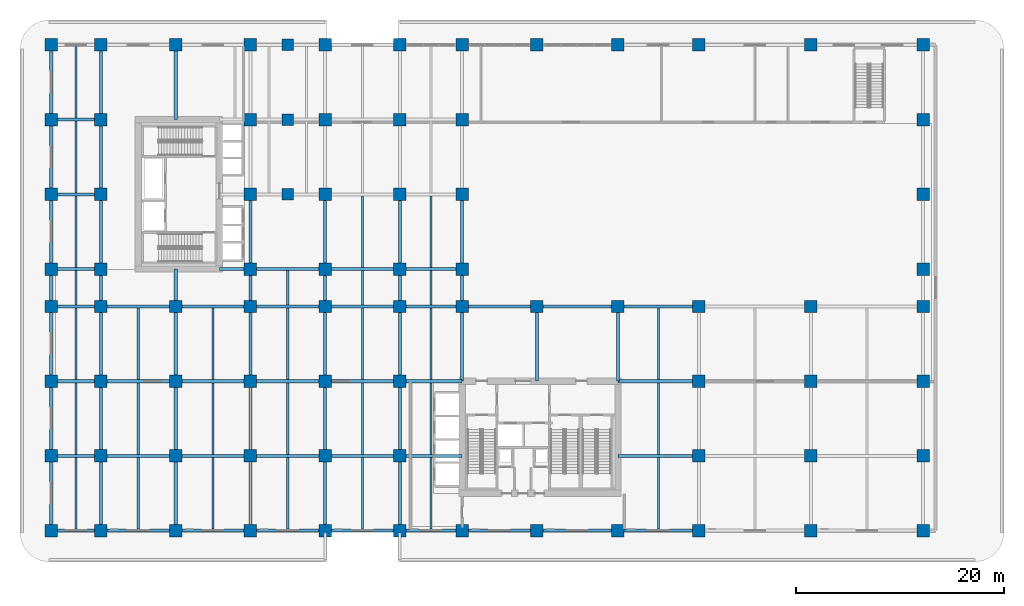
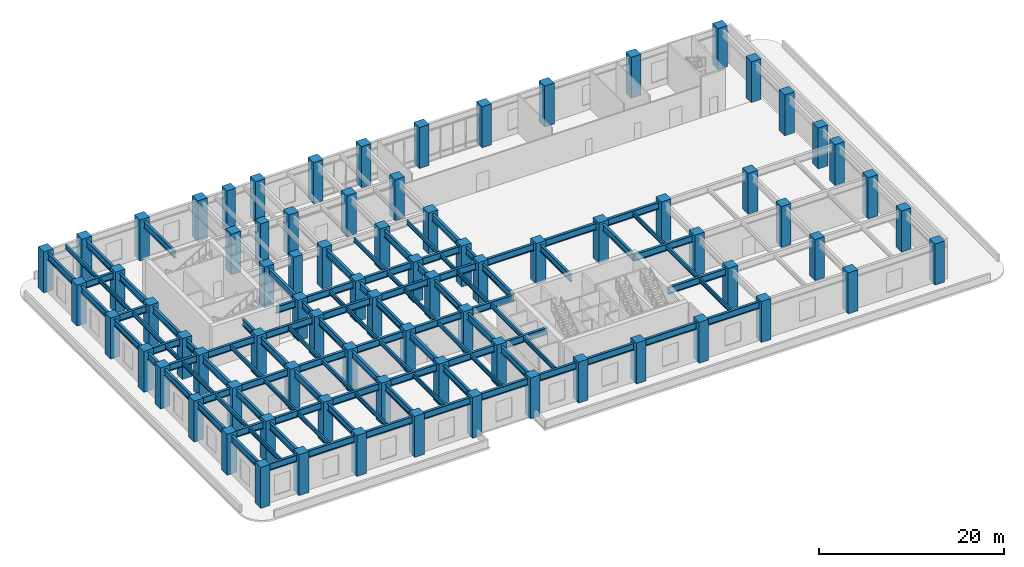
# One storey, part 1 of 20: 108 beams, 78 columns.
"""IFC4 building model written with IfcOpenShell, lengths in metres."""

from ifc_helpers import new_model, si_unit, derived_unit, direction, frame, origin, origin_2d, place, context, subcontext, project, spatial, rectangle, i_section, extrude, source, transform, mapped, material, material_profile, profile_set, type_object, type_shapes, element, save


model = new_model("IFC4")

# Units and contexts
model_context = context("Model", 3, precision=1e-05, world=origin(), true_north=direction((0.0, 1.0)))
body_context = subcontext(model_context, "Body", "Model", "MODEL_VIEW")
ifc_project = project(units=[si_unit("LENGTHUNIT", "METRE"), si_unit("AREAUNIT", "SQUARE_METRE"), si_unit("VOLUMEUNIT", "CUBIC_METRE"), si_unit("PLANEANGLEUNIT", "RADIAN"), si_unit("MASSUNIT", "GRAM", prefix="KILO"), si_unit("THERMODYNAMICTEMPERATUREUNIT", "KELVIN"), si_unit("POWERUNIT", "WATT"), derived_unit("THERMALTRANSMITTANCEUNIT", [(si_unit("POWERUNIT", "WATT"), 1), (si_unit("AREAUNIT", "SQUARE_METRE"), -1), (si_unit("THERMODYNAMICTEMPERATUREUNIT", "KELVIN"), -1)])], contexts=[model_context])

# Site, building, storey
site_placement = place(None, origin())
site = spatial("IfcSite", under=ifc_project, at=site_placement, CompositionType="ELEMENT")
building_placement = place(site_placement, origin())
building = spatial("IfcBuilding", under=site, at=building_placement, Name="Zahravan Archway Hotel and Residences", CompositionType="ELEMENT")
storey_placement = place(building_placement, frame((0.0, 0.0, 16.199951171875)))
storey = spatial("IfcBuildingStorey", under=building, at=storey_placement, Name="L03", CompositionType="ELEMENT", Elevation=16.199951171875)

# Columns
ifc_material_1 = material(Name="Concrete C70/85", Category="concrete")
ifc_material_profile_1 = material_profile(ifc_material_1, rectangle(XDim=1.199951171875, YDim=1.199951171875, at=origin_2d()), Name="RC-COL-1200x1200", Category="concrete")
ifc_profile_set_1 = profile_set([ifc_material_profile_1], Name="Concrete C70/85")
column_type_1 = type_object("IfcColumnType", Name="COL-RC-1200", PredefinedType="COLUMN", material=ifc_profile_set_1)
shared_shape_1 = source(origin(), body_context, "Body", "SweptSolid", [
    extrude(rectangle(XDim=1.199951171875, YDim=1.199951171875, at=origin_2d()), origin(), (0.0, 0.0, 1.0), 5.400146484375),
])
for number, where, z_axis, x_axis, name in (
    (1, (-4.800048828125, 0.0, 0.0), (0.0, 0.0, 1.0), (1.0, 0.0, 0.0), "L03 Column 0-A"),
    (2, (-4.800048828125, 7.199951171875, 0.0), (0.0, 0.0, 1.0), (1.0, 0.0, 0.0), "L03 Column 0-B"),
    (3, (-4.800048828125, 14.39990234375, 0.0), (0.0, 0.0, 1.0), (1.0, 0.0, 0.0), "L03 Column 0-C"),
    (4, (-4.800048828125, 21.60009765625, 0.0), (0.0, 0.0, 1.0), (1.0, 0.0, 0.0), "L03 Column 0-D"),
    (5, (-4.800048828125, 25.199951171875, 0.0), (0.0, 0.0, 1.0), (1.0, 0.0, 0.0), "L03 Column 0-E"),
    (6, (-4.800048828125, 32.39990234375, 0.0), (0.0, 0.0, 1.0), (1.0, 0.0, 0.0), "L03 Column 0-F"),
    (7, (-4.800048828125, 39.60009765625, 0.0), (0.0, 0.0, 1.0), (1.0, 0.0, 0.0), "L03 Column 0-G"),
    (8, (-4.800048828125, 46.800048828125, 0.0), (0.0, 0.0, 1.0), (1.0, 0.0, 0.0), "L03 Column 0-H"),
    (9, (0.0, 0.0, 0.0), (0.0, 0.0, 1.0), (1.0, 0.0, 0.0), "L03 Column 1-A"),
    (10, (0.0, 7.199951171875, 0.0), (0.0, 0.0, 1.0), (1.0, 0.0, 0.0), "L03 Column 1-B"),
    (11, (0.0, 14.39990234375, 0.0), (0.0, 0.0, 1.0), (1.0, 0.0, 0.0), "L03 Column 1-C"),
    (12, (0.0, 21.60009765625, 0.0), (0.0, 0.0, 1.0), (1.0, 0.0, 0.0), "L03 Column 1-D"),
    (13, (0.0, 25.199951171875, 0.0), (0.0, 0.0, 1.0), (1.0, 0.0, 0.0), "L03 Column 1-E"),
    (14, (0.0, 32.39990234375, 0.0), (0.0, 0.0, 1.0), (1.0, 0.0, 0.0), "L03 Column 1-F"),
    (15, (0.0, 39.60009765625, 0.0), (0.0, 0.0, 1.0), (1.0, 0.0, 0.0), "L03 Column 1-G"),
    (16, (0.0, 46.800048828125, 0.0), (0.0, 0.0, 1.0), (1.0, 0.0, 0.0), "L03 Column 1-H"),
    (17, (7.199951171875, 0.0, 0.0), (0.0, 0.0, 1.0), (1.0, 0.0, 0.0), "L03 Column 2-A"),
    (18, (7.199951171875, 7.199951171875, 0.0), (0.0, 0.0, 1.0), (1.0, 0.0, 0.0), "L03 Column 2-B"),
    (19, (7.199951171875, 14.39990234375, 0.0), (0.0, 0.0, 1.0), (1.0, 0.0, 0.0), "L03 Column 2-C"),
    (20, (7.199951171875, 21.60009765625, 0.0), (0.0, 0.0, 1.0), (1.0, 0.0, 0.0), "L03 Column 2-D"),
    (21, (7.199951171875, 46.800048828125, 0.0), (0.0, 0.0, 1.0), (1.0, 0.0, 0.0), "L03 Column 2-H"),
    (22, (14.39990234375, 0.0, 0.0), (0.0, 0.0, 1.0), (1.0, 0.0, 0.0), "L03 Column 3-A"),
    (23, (14.39990234375, 7.199951171875, 0.0), (0.0, 0.0, 1.0), (1.0, 0.0, 0.0), "L03 Column 3-B"),
    (24, (14.39990234375, 14.39990234375, 0.0), (0.0, 0.0, 1.0), (1.0, 0.0, 0.0), "L03 Column 3-C"),
    (25, (14.39990234375, 21.60009765625, 0.0), (0.0, 0.0, 1.0), (1.0, 0.0, 0.0), "L03 Column 3-D"),
    (26, (14.39990234375, 25.199951171875, 0.0), (0.0, 0.0, 1.0), (1.0, 0.0, 0.0), "L03 Column 3-E"),
    (27, (14.39990234375, 32.39990234375, 0.0), (0.0, 0.0, 1.0), (1.0, 0.0, 0.0), "L03 Column 3-F"),
    (28, (14.39990234375, 39.60009765625, 0.0), (0.0, 0.0, 1.0), (1.0, 0.0, 0.0), "L03 Column 3-G"),
    (29, (14.39990234375, 46.800048828125, 0.0), (0.0, 0.0, 1.0), (1.0, 0.0, 0.0), "L03 Column 3-H"),
    (30, (21.60009765625, 0.0, 0.0), (0.0, 0.0, 1.0), (1.0, 0.0, 0.0), "L03 Column 4-A"),
    (31, (21.60009765625, 7.199951171875, 0.0), (0.0, 0.0, 1.0), (1.0, 0.0, 0.0), "L03 Column 4-B"),
    (32, (21.60009765625, 14.39990234375, 0.0), (0.0, 0.0, 1.0), (1.0, 0.0, 0.0), "L03 Column 4-C"),
    (33, (21.60009765625, 21.60009765625, 0.0), (0.0, 0.0, 1.0), (1.0, 0.0, 0.0), "L03 Column 4-D"),
    (34, (21.60009765625, 25.199951171875, 0.0), (0.0, 0.0, 1.0), (1.0, 0.0, 0.0), "L03 Column 4-E"),
    (35, (21.60009765625, 32.39990234375, 0.0), (0.0, 0.0, 1.0), (1.0, 0.0, 0.0), "L03 Column 4-F"),
    (36, (21.60009765625, 39.60009765625, 0.0), (0.0, 0.0, 1.0), (1.0, 0.0, 0.0), "L03 Column 4-G"),
    (37, (21.60009765625, 46.800048828125, 0.0), (0.0, 0.0, 1.0), (1.0, 0.0, 0.0), "L03 Column 4-H"),
    (38, (28.800048828125, 0.0, 0.0), (0.0, 0.0, 1.0), (1.0, 0.0, 0.0), "L03 Column 5-A"),
    (39, (28.800048828125, 7.199951171875, 0.0), (0.0, 0.0, 1.0), (1.0, 0.0, 0.0), "L03 Column 5-B"),
    (40, (28.800048828125, 14.39990234375, 0.0), (0.0, 0.0, 1.0), (1.0, 0.0, 0.0), "L03 Column 5-C"),
    (41, (28.800048828125, 21.60009765625, 0.0), (0.0, 0.0, 1.0), (1.0, 0.0, 0.0), "L03 Column 5-D"),
    (42, (28.800048828125, 25.199951171875, 0.0), (0.0, 0.0, 1.0), (1.0, 0.0, 0.0), "L03 Column 5-E"),
    (43, (28.800048828125, 32.39990234375, 0.0), (0.0, 0.0, 1.0), (1.0, 0.0, 0.0), "L03 Column 5-F"),
    (44, (28.800048828125, 39.60009765625, 0.0), (0.0, 0.0, 1.0), (1.0, 0.0, 0.0), "L03 Column 5-G"),
    (45, (28.800048828125, 46.800048828125, 0.0), (0.0, 0.0, 1.0), (1.0, 0.0, 0.0), "L03 Column 5-H"),
    (46, (34.800048828125, 0.0, 0.0), (0.0, 0.0, 1.0), (1.0, 0.0, 0.0), "L03 Column 6-A"),
    (47, (34.800048828125, 21.60009765625, 0.0), (0.0, 0.0, 1.0), (1.0, 0.0, 0.0), "L03 Column 6-D"),
    (48, (34.800048828125, 25.199951171875, 0.0), (0.0, 0.0, 1.0), (1.0, 0.0, 0.0), "L03 Column 6-E"),
    (49, (34.800048828125, 32.39990234375, 0.0), (0.0, 0.0, 1.0), (1.0, 0.0, 0.0), "L03 Column 6-F"),
    (50, (34.800048828125, 39.60009765625, 0.0), (0.0, 0.0, 1.0), (1.0, 0.0, 0.0), "L03 Column 6-G"),
    (51, (34.800048828125, 46.800048828125, 0.0), (0.0, 0.0, 1.0), (1.0, 0.0, 0.0), "L03 Column 6-H"),
    (52, (42.0, 0.0, 0.0), (0.0, 0.0, 1.0), (1.0, 0.0, 0.0), "L03 Column 7-A"),
    (53, (42.0, 21.60009765625, 0.0), (0.0, 0.0, 1.0), (1.0, 0.0, 0.0), "L03 Column 7-D"),
    (54, (42.0, 46.800048828125, 0.0), (0.0, 0.0, 1.0), (1.0, 0.0, 0.0), "L03 Column 7-H"),
    (55, (49.800048828125, 0.0, 0.0), (0.0, 0.0, 1.0), (1.0, 0.0, 0.0), "L03 Column 8-A"),
    (56, (49.800048828125, 21.60009765625, 0.0), (0.0, 0.0, 1.0), (1.0, 0.0, 0.0), "L03 Column 8-D"),
    (57, (49.800048828125, 46.800048828125, 0.0), (0.0, 0.0, 1.0), (1.0, 0.0, 0.0), "L03 Column 8-H"),
    (58, (57.60009765625, 0.0, 0.0), (0.0, 0.0, 1.0), (1.0, 0.0, 0.0), "L03 Column 9-A"),
    (59, (57.60009765625, 7.199951171875, 0.0), (0.0, 0.0, 1.0), (1.0, 0.0, 0.0), "L03 Column 9-B"),
    (60, (57.60009765625, 14.39990234375, 0.0), (0.0, 0.0, 1.0), (1.0, 0.0, 0.0), "L03 Column 9-C"),
    (61, (57.60009765625, 21.60009765625, 0.0), (0.0, 0.0, 1.0), (1.0, 0.0, 0.0), "L03 Column 9-D"),
    (62, (57.60009765625, 46.800048828125, 0.0), (0.0, 0.0, 1.0), (1.0, 0.0, 0.0), "L03 Column 9-H"),
    (63, (68.39990234375, 0.0, 0.0), (0.0, 0.0, 1.0), (1.0, 0.0, 0.0), "L03 Column 10-A"),
    (64, (68.39990234375, 7.199951171875, 0.0), (0.0, 0.0, 1.0), (1.0, 0.0, 0.0), "L03 Column 10-B"),
    (65, (68.39990234375, 14.39990234375, 0.0), (0.0, 0.0, 1.0), (1.0, 0.0, 0.0), "L03 Column 10-C"),
    (66, (68.39990234375, 21.60009765625, 0.0), (0.0, 0.0, 1.0), (1.0, 0.0, 0.0), "L03 Column 10-D"),
    (67, (68.39990234375, 46.800048828125, 0.0), (0.0, 0.0, 1.0), (1.0, 0.0, 0.0), "L03 Column 10-H"),
    (68, (79.199951171875, 0.0, 0.0), (0.0, 0.0, 1.0), (1.0, 0.0, 0.0), "L03 Column 11-A"),
    (69, (79.199951171875, 7.199951171875, 0.0), (0.0, 0.0, 1.0), (1.0, 0.0, 0.0), "L03 Column 11-B"),
    (70, (79.199951171875, 14.39990234375, 0.0), (0.0, 0.0, 1.0), (1.0, 0.0, 0.0), "L03 Column 11-C"),
    (71, (79.199951171875, 21.60009765625, 0.0), (0.0, 0.0, 1.0), (1.0, 0.0, 0.0), "L03 Column 11-D"),
    (72, (79.199951171875, 25.199951171875, 0.0), (0.0, 0.0, 1.0), (1.0, 0.0, 0.0), "L03 Column 11-E"),
    (73, (79.199951171875, 32.39990234375, 0.0), (0.0, 0.0, 1.0), (1.0, 0.0, 0.0), "L03 Column 11-F"),
    (74, (79.199951171875, 39.60009765625, 0.0), (0.0, 0.0, 1.0), (1.0, 0.0, 0.0), "L03 Column 11-G"),
    (75, (79.199951171875, 46.800048828125, 0.0), (0.0, 0.0, 1.0), (1.0, 0.0, 0.0), "L03 Column 11-H"),
):
    element("IfcColumn", number, at=place(storey_placement, frame(where, z_axis=z_axis, x_axis=x_axis)), inside=storey, type_object=column_type_1, Name=name, PredefinedType="COLUMN", context=body_context, shape_type="MappedRepresentation", body=[
        mapped(shared_shape_1, transform((0.0, 0.0, 0.0), scale=1.0)),
    ])
ifc_material_profile_2 = material_profile(ifc_material_1, rectangle(XDim=1.10009765625, YDim=1.10009765625, at=origin_2d()), Name="RC 1100x1100", Category="concrete")
ifc_profile_set_2 = profile_set([ifc_material_profile_2], Name="Concrete C70/85")
column_type_2 = type_object("IfcColumnType", Name="COL-RC-1100", PredefinedType="COLUMN", material=ifc_profile_set_2)
shared_shape_2 = source(origin(), body_context, "Body", "SweptSolid", [
    extrude(rectangle(XDim=1.10009765625, YDim=1.10009765625, at=origin_2d()), origin(), (0.0, 0.0, 1.0), 5.400146484375),
])
for number, where, z_axis, x_axis, name in (
    (76, (18.0, 32.39990234375, 0.0), (0.0, 0.0, 1.0), (1.0, 0.0, 0.0), "L03 Column 3B-F"),
    (77, (18.0, 39.60009765625, 0.0), (0.0, 0.0, 1.0), (1.0, 0.0, 0.0), "L03 Column 3B-G"),
    (78, (18.0, 46.800048828125, 0.0), (0.0, 0.0, 1.0), (1.0, 0.0, 0.0), "L03 Column 3B-H"),
):
    element("IfcColumn", number, at=place(storey_placement, frame(where, z_axis=z_axis, x_axis=x_axis)), inside=storey, type_object=column_type_2, Name=name, PredefinedType="COLUMN", context=body_context, shape_type="MappedRepresentation", body=[
        mapped(shared_shape_2, transform((0.0, 0.0, 0.0), scale=1.0)),
    ])

# Beams
ifc_material_2 = material(Name="Structural Steel S355J2", Category="steel")
ifc_material_profile_3 = material_profile(ifc_material_2, i_section(OverallWidth=0.300048828125, OverallDepth=0.89990234375, WebThickness=0.0185546875, FlangeThickness=0.034912109375, FilletRadius=0.030029296875, at=origin_2d()), Name="HEB 900", Category="steel")
ifc_profile_set_3 = profile_set([ifc_material_profile_3], Name="Structural Steel S355J2")
beam_type_1 = type_object("IfcBeamType", Name="BM-PRI-HEB900", PredefinedType="BEAM", material=ifc_profile_set_3)
shared_shape_3 = source(origin(), body_context, "Body", "SweptSolid", [
    extrude(i_section(OverallWidth=0.300048828125, OverallDepth=0.89990234375, WebThickness=0.0185546875, FlangeThickness=0.034912109375, FilletRadius=0.030029296875, at=origin_2d()), origin(), (0.0, 0.0, 1.0), 4.800048828125),
])
type_shapes(beam_type_1, [shared_shape_3])
for number, where, z_axis, x_axis, name in (
    (79, (-4.800048828125, 0.0, 4.650146484375), (1.0, 0.0, 0.0), (0.0, 1.0, 0.0), "L03 Primary Girder EW-01"),
    (80, (-4.800048828125, 7.199951171875, 4.650146484375), (1.0, 0.0, 0.0), (0.0, 1.0, 0.0), "L03 Primary Girder EW-12"),
    (81, (-4.800048828125, 14.39990234375, 4.650146484375), (1.0, 0.0, 0.0), (0.0, 1.0, 0.0), "L03 Primary Girder EW-21"),
    (82, (-4.800048828125, 21.60009765625, 4.650146484375), (1.0, 0.0, 0.0), (0.0, 1.0, 0.0), "L03 Primary Girder EW-30"),
    (83, (-4.800048828125, 25.199951171875, 4.650146484375), (1.0, 0.0, 0.0), (0.0, 1.0, 0.0), "L03 Primary Girder EW-41"),
    (84, (-4.800048828125, 32.39990234375, 4.650146484375), (1.0, 0.0, 0.0), (0.0, 1.0, 0.0), "L03 Primary Girder EW-46"),
    (85, (-4.800048828125, 39.60009765625, 4.650146484375), (1.0, 0.0, 0.0), (0.0, 1.0, 0.0), "L03 Primary Girder EW-52"),
):
    element("IfcBeam", number, at=place(storey_placement, frame(where, z_axis=z_axis, x_axis=x_axis)), inside=storey, type_object=beam_type_1, Name=name, PredefinedType="BEAM", context=body_context, shape_type="MappedRepresentation", body=[
        mapped(shared_shape_3, transform((0.0, 0.0, 0.0), scale=1.0)),
    ])
shared_shape_4 = source(origin(), body_context, "Body", "SweptSolid", [
    extrude(i_section(OverallWidth=0.300048828125, OverallDepth=0.89990234375, WebThickness=0.0185546875, FlangeThickness=0.034912109375, FilletRadius=0.030029296875, at=origin_2d()), origin(), (0.0, 0.0, 1.0), 7.199951171875),
])
for number, where, z_axis, x_axis, name in (
    (86, (0.0, 0.0, 4.650146484375), (1.0, 0.0, 0.0), (0.0, 1.0, 0.0), "L03 Primary Girder EW-02"),
    (87, (7.199951171875, 0.0, 4.650146484375), (1.0, 0.0, 0.0), (0.0, 1.0, 0.0), "L03 Primary Girder EW-03"),
    (88, (21.60009765625, 0.0, 4.650146484375), (1.0, 0.0, 0.0), (0.0, 1.0, 0.0), "L03 Primary Girder EW-05"),
    (89, (34.800048828125, 0.0, 4.650146484375), (1.0, 0.0, 0.0), (0.0, 1.0, 0.0), "L03 Primary Girder EW-07"),
    (90, (0.0, 7.199951171875, 4.650146484375), (1.0, 0.0, 0.0), (0.0, 1.0, 0.0), "L03 Primary Girder EW-13"),
    (91, (7.199951171875, 7.199951171875, 4.650146484375), (1.0, 0.0, 0.0), (0.0, 1.0, 0.0), "L03 Primary Girder EW-14"),
    (92, (21.60009765625, 7.199951171875, 4.650146484375), (1.0, 0.0, 0.0), (0.0, 1.0, 0.0), "L03 Primary Girder EW-16"),
    (93, (0.0, 14.39990234375, 4.650146484375), (1.0, 0.0, 0.0), (0.0, 1.0, 0.0), "L03 Primary Girder EW-22"),
    (94, (7.199951171875, 14.39990234375, 4.650146484375), (1.0, 0.0, 0.0), (0.0, 1.0, 0.0), "L03 Primary Girder EW-23"),
    (95, (21.60009765625, 14.39990234375, 4.650146484375), (1.0, 0.0, 0.0), (0.0, 1.0, 0.0), "L03 Primary Girder EW-25"),
    (96, (0.0, 21.60009765625, 4.650146484375), (1.0, 0.0, 0.0), (0.0, 1.0, 0.0), "L03 Primary Girder EW-31"),
    (97, (7.199951171875, 21.60009765625, 4.650146484375), (1.0, 0.0, 0.0), (0.0, 1.0, 0.0), "L03 Primary Girder EW-32"),
    (98, (21.60009765625, 21.60009765625, 4.650146484375), (1.0, 0.0, 0.0), (0.0, 1.0, 0.0), "L03 Primary Girder EW-34"),
    (99, (34.800048828125, 21.60009765625, 4.650146484375), (1.0, 0.0, 0.0), (0.0, 1.0, 0.0), "L03 Primary Girder EW-36"),
    (100, (21.60009765625, 25.199951171875, 4.650146484375), (1.0, 0.0, 0.0), (0.0, 1.0, 0.0), "L03 Primary Girder EW-44"),
    (101, (-4.800048828125, 0.0, 4.650146484375), (0.0, 1.0, 0.0), (-1.0, 0.0, 0.0), "L03 Primary Girder NS-70"),
    (102, (-4.800048828125, 7.199951171875, 4.650146484375), (0.0, 1.0, 0.0), (-1.0, 0.0, 0.0), "L03 Primary Girder NS-71"),
    (103, (-4.800048828125, 25.199951171875, 4.650146484375), (0.0, 1.0, 0.0), (-1.0, 0.0, 0.0), "L03 Primary Girder NS-74"),
    (104, (-4.800048828125, 39.60009765625, 4.650146484375), (0.0, 1.0, 0.0), (-1.0, 0.0, 0.0), "L03 Primary Girder NS-76"),
    (105, (0.0, 0.0, 4.650146484375), (0.0, 1.0, 0.0), (-1.0, 0.0, 0.0), "L03 Primary Girder NS-77"),
    (106, (0.0, 7.199951171875, 4.650146484375), (0.0, 1.0, 0.0), (-1.0, 0.0, 0.0), "L03 Primary Girder NS-78"),
    (107, (0.0, 25.199951171875, 4.650146484375), (0.0, 1.0, 0.0), (-1.0, 0.0, 0.0), "L03 Primary Girder NS-81"),
    (108, (0.0, 39.60009765625, 4.650146484375), (0.0, 1.0, 0.0), (-1.0, 0.0, 0.0), "L03 Primary Girder NS-83"),
    (109, (7.199951171875, 0.0, 4.650146484375), (0.0, 1.0, 0.0), (-1.0, 0.0, 0.0), "L03 Primary Girder NS-84"),
    (110, (7.199951171875, 7.199951171875, 4.650146484375), (0.0, 1.0, 0.0), (-1.0, 0.0, 0.0), "L03 Primary Girder NS-85"),
    (111, (7.199951171875, 39.60009765625, 4.650146484375), (0.0, 1.0, 0.0), (-1.0, 0.0, 0.0), "L03 Primary Girder NS-88"),
    (112, (14.39990234375, 0.0, 4.650146484375), (0.0, 1.0, 0.0), (-1.0, 0.0, 0.0), "L03 Primary Girder NS-89"),
    (113, (14.39990234375, 7.199951171875, 4.650146484375), (0.0, 1.0, 0.0), (-1.0, 0.0, 0.0), "L03 Primary Girder NS-90"),
    (114, (14.39990234375, 25.199951171875, 4.650146484375), (0.0, 1.0, 0.0), (-1.0, 0.0, 0.0), "L03 Primary Girder NS-93"),
    (115, (21.60009765625, 0.0, 4.650146484375), (0.0, 1.0, 0.0), (-1.0, 0.0, 0.0), "L03 Primary Girder NS-96"),
    (116, (21.60009765625, 7.199951171875, 4.650146484375), (0.0, 1.0, 0.0), (-1.0, 0.0, 0.0), "L03 Primary Girder NS-97"),
    (117, (21.60009765625, 25.199951171875, 4.650146484375), (0.0, 1.0, 0.0), (-1.0, 0.0, 0.0), "L03 Primary Girder NS-100"),
    (118, (28.800048828125, 0.0, 4.650146484375), (0.0, 1.0, 0.0), (-1.0, 0.0, 0.0), "L03 Primary Girder NS-103"),
    (119, (28.800048828125, 7.199951171875, 4.650146484375), (0.0, 1.0, 0.0), (-1.0, 0.0, 0.0), "L03 Primary Girder NS-104"),
    (120, (28.800048828125, 25.199951171875, 4.650146484375), (0.0, 1.0, 0.0), (-1.0, 0.0, 0.0), "L03 Primary Girder NS-107"),
    (121, (34.800048828125, 25.199951171875, 4.650146484375), (0.0, 1.0, 0.0), (-1.0, 0.0, 0.0), "L03 Primary Girder NS-112"),
):
    element("IfcBeam", number, at=place(storey_placement, frame(where, z_axis=z_axis, x_axis=x_axis)), inside=storey, type_object=beam_type_1, Name=name, PredefinedType="BEAM", context=body_context, shape_type="MappedRepresentation", body=[
        mapped(shared_shape_4, transform((0.0, 0.0, 0.0), scale=1.0)),
    ])
shared_shape_5 = source(origin(), body_context, "Body", "SweptSolid", [
    extrude(i_section(OverallWidth=0.300048828125, OverallDepth=0.89990234375, WebThickness=0.0185546875, FlangeThickness=0.034912109375, FilletRadius=0.030029296875, at=origin_2d()), origin(), (0.0, 0.0, 1.0), 7.2001953125),
])
for number, where, z_axis, x_axis, name in (
    (122, (14.39990234375, 0.0, 4.650146484375), (1.0, 0.0, 0.0), (0.0, 1.0, 0.0), "L03 Primary Girder EW-04"),
    (123, (14.39990234375, 7.199951171875, 4.650146484375), (1.0, 0.0, 0.0), (0.0, 1.0, 0.0), "L03 Primary Girder EW-15"),
    (124, (14.39990234375, 14.39990234375, 4.650146484375), (1.0, 0.0, 0.0), (0.0, 1.0, 0.0), "L03 Primary Girder EW-24"),
    (125, (14.39990234375, 21.60009765625, 4.650146484375), (1.0, 0.0, 0.0), (0.0, 1.0, 0.0), "L03 Primary Girder EW-33"),
    (126, (14.39990234375, 25.199951171875, 4.650146484375), (1.0, 0.0, 0.0), (0.0, 1.0, 0.0), "L03 Primary Girder EW-43"),
    (127, (-4.800048828125, 14.39990234375, 4.650146484375), (0.0, 1.0, 0.0), (-1.0, 0.0, 0.0), "L03 Primary Girder NS-72"),
    (128, (-4.800048828125, 32.39990234375, 4.650146484375), (0.0, 1.0, 0.0), (-1.0, 0.0, 0.0), "L03 Primary Girder NS-75"),
    (129, (0.0, 14.39990234375, 4.650146484375), (0.0, 1.0, 0.0), (-1.0, 0.0, 0.0), "L03 Primary Girder NS-79"),
    (130, (0.0, 32.39990234375, 4.650146484375), (0.0, 1.0, 0.0), (-1.0, 0.0, 0.0), "L03 Primary Girder NS-82"),
    (131, (7.199951171875, 14.39990234375, 4.650146484375), (0.0, 1.0, 0.0), (-1.0, 0.0, 0.0), "L03 Primary Girder NS-86"),
    (132, (14.39990234375, 14.39990234375, 4.650146484375), (0.0, 1.0, 0.0), (-1.0, 0.0, 0.0), "L03 Primary Girder NS-91"),
    (133, (21.60009765625, 14.39990234375, 4.650146484375), (0.0, 1.0, 0.0), (-1.0, 0.0, 0.0), "L03 Primary Girder NS-98"),
    (134, (28.800048828125, 14.39990234375, 4.650146484375), (0.0, 1.0, 0.0), (-1.0, 0.0, 0.0), "L03 Primary Girder NS-105"),
    (135, (34.800048828125, 14.39990234375, 4.650146484375), (0.0, 1.0, 0.0), (-1.0, 0.0, 0.0), "L03 Primary Girder NS-110"),
    (136, (42.0, 14.39990234375, 4.650146484375), (0.0, 1.0, 0.0), (-1.0, 0.0, 0.0), "L03 Primary Girder NS-115"),
    (137, (49.800048828125, 14.39990234375, 4.650146484375), (0.0, 1.0, 0.0), (-1.0, 0.0, 0.0), "L03 Primary Girder NS-116"),
):
    element("IfcBeam", number, at=place(storey_placement, frame(where, z_axis=z_axis, x_axis=x_axis)), inside=storey, type_object=beam_type_1, Name=name, PredefinedType="BEAM", context=body_context, shape_type="MappedRepresentation", body=[
        mapped(shared_shape_5, transform((0.0, 0.0, 0.0), scale=1.0)),
    ])
shared_shape_6 = source(origin(), body_context, "Body", "SweptSolid", [
    extrude(i_section(OverallWidth=0.300048828125, OverallDepth=0.89990234375, WebThickness=0.0185546875, FlangeThickness=0.034912109375, FilletRadius=0.030029296875, at=origin_2d()), origin(), (0.0, 0.0, 1.0), 6.0),
])
for number, where, z_axis, x_axis, name in (
    (138, (28.800048828125, 0.0, 4.650146484375), (1.0, 0.0, 0.0), (0.0, 1.0, 0.0), "L03 Primary Girder EW-06"),
    (139, (28.800048828125, 7.199951171875, 4.650146484375), (1.0, 0.0, 0.0), (0.0, 1.0, 0.0), "L03 Primary Girder EW-17"),
    (140, (28.800048828125, 14.39990234375, 4.650146484375), (1.0, 0.0, 0.0), (0.0, 1.0, 0.0), "L03 Primary Girder EW-26"),
    (141, (28.800048828125, 21.60009765625, 4.650146484375), (1.0, 0.0, 0.0), (0.0, 1.0, 0.0), "L03 Primary Girder EW-35"),
    (142, (28.800048828125, 25.199951171875, 4.650146484375), (1.0, 0.0, 0.0), (0.0, 1.0, 0.0), "L03 Primary Girder EW-45"),
):
    element("IfcBeam", number, at=place(storey_placement, frame(where, z_axis=z_axis, x_axis=x_axis)), inside=storey, type_object=beam_type_1, Name=name, PredefinedType="BEAM", context=body_context, shape_type="MappedRepresentation", body=[
        mapped(shared_shape_6, transform((0.0, 0.0, 0.0), scale=1.0)),
    ])
shared_shape_7 = source(origin(), body_context, "Body", "SweptSolid", [
    extrude(i_section(OverallWidth=0.300048828125, OverallDepth=0.89990234375, WebThickness=0.0185546875, FlangeThickness=0.034912109375, FilletRadius=0.030029296875, at=origin_2d()), origin(), (0.0, 0.0, 1.0), 7.800048828125),
])
for number, where, z_axis, x_axis, name in (
    (143, (42.0, 0.0, 4.650146484375), (1.0, 0.0, 0.0), (0.0, 1.0, 0.0), "L03 Primary Girder EW-08"),
    (144, (49.800048828125, 0.0, 4.650146484375), (1.0, 0.0, 0.0), (0.0, 1.0, 0.0), "L03 Primary Girder EW-09"),
    (145, (49.800048828125, 7.199951171875, 4.650146484375), (1.0, 0.0, 0.0), (0.0, 1.0, 0.0), "L03 Primary Girder EW-18"),
    (146, (49.800048828125, 14.39990234375, 4.650146484375), (1.0, 0.0, 0.0), (0.0, 1.0, 0.0), "L03 Primary Girder EW-27"),
    (147, (42.0, 21.60009765625, 4.650146484375), (1.0, 0.0, 0.0), (0.0, 1.0, 0.0), "L03 Primary Girder EW-37"),
    (148, (49.800048828125, 21.60009765625, 4.650146484375), (1.0, 0.0, 0.0), (0.0, 1.0, 0.0), "L03 Primary Girder EW-38"),
):
    element("IfcBeam", number, at=place(storey_placement, frame(where, z_axis=z_axis, x_axis=x_axis)), inside=storey, type_object=beam_type_1, Name=name, PredefinedType="BEAM", context=body_context, shape_type="MappedRepresentation", body=[
        mapped(shared_shape_7, transform((0.0, 0.0, 0.0), scale=1.0)),
    ])
shared_shape_8 = source(origin(), body_context, "Body", "SweptSolid", [
    extrude(i_section(OverallWidth=0.300048828125, OverallDepth=0.89990234375, WebThickness=0.0185546875, FlangeThickness=0.034912109375, FilletRadius=0.030029296875, at=origin_2d()), origin(), (0.0, 0.0, 1.0), 3.0),
])
beam_placement = place(storey_placement, frame((11.39990234375, 25.199951171875, 4.650146484375), z_axis=(1.0, 0.0, 0.0), x_axis=(0.0, 1.0, 0.0)))
element("IfcBeam", 149, at=beam_placement, inside=storey, type_object=beam_type_1, Name="L03 Primary Girder EW-42", PredefinedType="BEAM", context=body_context, shape_type="MappedRepresentation", body=[
    mapped(shared_shape_8, transform((0.0, 0.0, 0.0), scale=1.0)),
])
shared_shape_9 = source(origin(), body_context, "Body", "SweptSolid", [
    extrude(i_section(OverallWidth=0.300048828125, OverallDepth=0.89990234375, WebThickness=0.0185546875, FlangeThickness=0.034912109375, FilletRadius=0.030029296875, at=origin_2d()), origin(), (0.0, 0.0, 1.0), 3.599853515625),
])
for number, where, z_axis, x_axis, name in (
    (150, (-4.800048828125, 21.60009765625, 4.650146484375), (0.0, 1.0, 0.0), (-1.0, 0.0, 0.0), "L03 Primary Girder NS-73"),
    (151, (0.0, 21.60009765625, 4.650146484375), (0.0, 1.0, 0.0), (-1.0, 0.0, 0.0), "L03 Primary Girder NS-80"),
    (152, (7.199951171875, 21.60009765625, 4.650146484375), (0.0, 1.0, 0.0), (-1.0, 0.0, 0.0), "L03 Primary Girder NS-87"),
    (153, (14.39990234375, 21.60009765625, 4.650146484375), (0.0, 1.0, 0.0), (-1.0, 0.0, 0.0), "L03 Primary Girder NS-92"),
    (154, (21.60009765625, 21.60009765625, 4.650146484375), (0.0, 1.0, 0.0), (-1.0, 0.0, 0.0), "L03 Primary Girder NS-99"),
    (155, (28.800048828125, 21.60009765625, 4.650146484375), (0.0, 1.0, 0.0), (-1.0, 0.0, 0.0), "L03 Primary Girder NS-106"),
    (156, (34.800048828125, 21.60009765625, 4.650146484375), (0.0, 1.0, 0.0), (-1.0, 0.0, 0.0), "L03 Primary Girder NS-111"),
):
    element("IfcBeam", number, at=place(storey_placement, frame(where, z_axis=z_axis, x_axis=x_axis)), inside=storey, type_object=beam_type_1, Name=name, PredefinedType="BEAM", context=body_context, shape_type="MappedRepresentation", body=[
        mapped(shared_shape_9, transform((0.0, 0.0, 0.0), scale=1.0)),
    ])
ifc_material_3 = material(Name="Structural Steel S355JR", Category="steel")
ifc_material_profile_4 = material_profile(ifc_material_3, i_section(OverallWidth=0.2099609375, OverallDepth=0.550048828125, WebThickness=0.010986328125, FlangeThickness=0.01708984375, FilletRadius=0.02392578125, at=origin_2d()), Name="IPE 550", Category="steel")
ifc_profile_set_4 = profile_set([ifc_material_profile_4], Name="Structural Steel S355JR")
beam_type_2 = type_object("IfcBeamType", Name="BM-JST-IPE550", PredefinedType="JOIST", material=ifc_profile_set_4)
shared_shape_10 = source(origin(), body_context, "Body", "SweptSolid", [
    extrude(i_section(OverallWidth=0.2099609375, OverallDepth=0.550048828125, WebThickness=0.010986328125, FlangeThickness=0.01708984375, FilletRadius=0.02392578125, at=origin_2d()), origin(), (0.0, 0.0, 1.0), 6.904052734375),
])
type_shapes(beam_type_2, [shared_shape_10])
for number, where, z_axis, x_axis, name in (
    (157, (-2.39990234375, 0.14794921875, 4.824951171875), (0.0, 1.0, 0.0), (-1.0, 0.0, 0.0), "L03 Composite Floor Joist 01"),
    (158, (3.60009765625, 0.14794921875, 4.824951171875), (0.0, 1.0, 0.0), (-1.0, 0.0, 0.0), "L03 Composite Floor Joist 02"),
    (159, (10.800048828125, 0.14794921875, 4.824951171875), (0.0, 1.0, 0.0), (-1.0, 0.0, 0.0), "L03 Composite Floor Joist 03"),
    (160, (18.0, 0.14794921875, 4.824951171875), (0.0, 1.0, 0.0), (-1.0, 0.0, 0.0), "L03 Composite Floor Joist 04"),
    (161, (25.199951171875, 0.14794921875, 4.824951171875), (0.0, 1.0, 0.0), (-1.0, 0.0, 0.0), "L03 Composite Floor Joist 05"),
    (162, (31.800048828125, 0.14794921875, 4.824951171875), (0.0, 1.0, 0.0), (-1.0, 0.0, 0.0), "L03 Composite Floor Joist 06"),
    (163, (53.699951171875, 0.14794921875, 4.824951171875), (0.0, 1.0, 0.0), (-1.0, 0.0, 0.0), "L03 Composite Floor Joist 07"),
    (164, (-2.39990234375, 7.347900390625, 4.824951171875), (0.0, 1.0, 0.0), (-1.0, 0.0, 0.0), "L03 Composite Floor Joist 10"),
    (165, (3.60009765625, 7.347900390625, 4.824951171875), (0.0, 1.0, 0.0), (-1.0, 0.0, 0.0), "L03 Composite Floor Joist 11"),
    (166, (10.800048828125, 7.347900390625, 4.824951171875), (0.0, 1.0, 0.0), (-1.0, 0.0, 0.0), "L03 Composite Floor Joist 12"),
    (167, (18.0, 7.347900390625, 4.824951171875), (0.0, 1.0, 0.0), (-1.0, 0.0, 0.0), "L03 Composite Floor Joist 13"),
    (168, (25.199951171875, 7.347900390625, 4.824951171875), (0.0, 1.0, 0.0), (-1.0, 0.0, 0.0), "L03 Composite Floor Joist 14"),
    (169, (31.800048828125, 7.347900390625, 4.824951171875), (0.0, 1.0, 0.0), (-1.0, 0.0, 0.0), "L03 Composite Floor Joist 15"),
    (170, (53.699951171875, 7.347900390625, 4.824951171875), (0.0, 1.0, 0.0), (-1.0, 0.0, 0.0), "L03 Composite Floor Joist 16"),
    (171, (-2.39990234375, 25.347900390625, 4.824951171875), (0.0, 1.0, 0.0), (-1.0, 0.0, 0.0), "L03 Composite Floor Joist 32"),
    (172, (25.199951171875, 25.347900390625, 4.824951171875), (0.0, 1.0, 0.0), (-1.0, 0.0, 0.0), "L03 Composite Floor Joist 33"),
    (173, (31.800048828125, 25.347900390625, 4.824951171875), (0.0, 1.0, 0.0), (-1.0, 0.0, 0.0), "L03 Composite Floor Joist 34"),
    (174, (-2.39990234375, 39.748046875, 4.824951171875), (0.0, 1.0, 0.0), (-1.0, 0.0, 0.0), "L03 Composite Floor Joist 40"),
):
    element("IfcBeam", number, at=place(storey_placement, frame(where, z_axis=z_axis, x_axis=x_axis)), inside=storey, type_object=beam_type_2, Name=name, PredefinedType="JOIST", context=body_context, shape_type="MappedRepresentation", body=[
        mapped(shared_shape_10, transform((0.0, 0.0, 0.0), scale=1.0)),
    ])
shared_shape_11 = source(origin(), body_context, "Body", "SweptSolid", [
    extrude(i_section(OverallWidth=0.2099609375, OverallDepth=0.550048828125, WebThickness=0.010986328125, FlangeThickness=0.01708984375, FilletRadius=0.02392578125, at=origin_2d()), origin(), (0.0, 0.0, 1.0), 6.90380859375),
])
for number, where, z_axis, x_axis, name in (
    (175, (-2.39990234375, 14.548095703125, 4.824951171875), (0.0, 1.0, 0.0), (-1.0, 0.0, 0.0), "L03 Composite Floor Joist 19"),
    (176, (3.60009765625, 14.548095703125, 4.824951171875), (0.0, 1.0, 0.0), (-1.0, 0.0, 0.0), "L03 Composite Floor Joist 20"),
    (177, (10.800048828125, 14.548095703125, 4.824951171875), (0.0, 1.0, 0.0), (-1.0, 0.0, 0.0), "L03 Composite Floor Joist 21"),
    (178, (18.0, 14.548095703125, 4.824951171875), (0.0, 1.0, 0.0), (-1.0, 0.0, 0.0), "L03 Composite Floor Joist 22"),
    (179, (25.199951171875, 14.548095703125, 4.824951171875), (0.0, 1.0, 0.0), (-1.0, 0.0, 0.0), "L03 Composite Floor Joist 23"),
    (180, (31.800048828125, 14.548095703125, 4.824951171875), (0.0, 1.0, 0.0), (-1.0, 0.0, 0.0), "L03 Composite Floor Joist 24"),
    (181, (53.699951171875, 14.548095703125, 4.824951171875), (0.0, 1.0, 0.0), (-1.0, 0.0, 0.0), "L03 Composite Floor Joist 25"),
    (182, (-2.39990234375, 32.548095703125, 4.824951171875), (0.0, 1.0, 0.0), (-1.0, 0.0, 0.0), "L03 Composite Floor Joist 35"),
):
    element("IfcBeam", number, at=place(storey_placement, frame(where, z_axis=z_axis, x_axis=x_axis)), inside=storey, type_object=beam_type_2, Name=name, PredefinedType="JOIST", context=body_context, shape_type="MappedRepresentation", body=[
        mapped(shared_shape_11, transform((0.0, 0.0, 0.0), scale=1.0)),
    ])
shared_shape_12 = source(origin(), body_context, "Body", "SweptSolid", [
    extrude(i_section(OverallWidth=0.2099609375, OverallDepth=0.550048828125, WebThickness=0.010986328125, FlangeThickness=0.01708984375, FilletRadius=0.02392578125, at=origin_2d()), origin(), (0.0, 0.0, 1.0), 3.303955078125),
])
for number, where, z_axis, x_axis, name in (
    (183, (-2.39990234375, 21.748046875, 4.824951171875), (0.0, 1.0, 0.0), (-1.0, 0.0, 0.0), "L03 Composite Floor Joist 28"),
    (184, (18.0, 21.748046875, 4.824951171875), (0.0, 1.0, 0.0), (-1.0, 0.0, 0.0), "L03 Composite Floor Joist 29"),
    (185, (25.199951171875, 21.748046875, 4.824951171875), (0.0, 1.0, 0.0), (-1.0, 0.0, 0.0), "L03 Composite Floor Joist 30"),
    (186, (31.800048828125, 21.748046875, 4.824951171875), (0.0, 1.0, 0.0), (-1.0, 0.0, 0.0), "L03 Composite Floor Joist 31"),
):
    element("IfcBeam", number, at=place(storey_placement, frame(where, z_axis=z_axis, x_axis=x_axis)), inside=storey, type_object=beam_type_2, Name=name, PredefinedType="JOIST", context=body_context, shape_type="MappedRepresentation", body=[
        mapped(shared_shape_12, transform((0.0, 0.0, 0.0), scale=1.0)),
    ])

save(model, "model.ifc")
